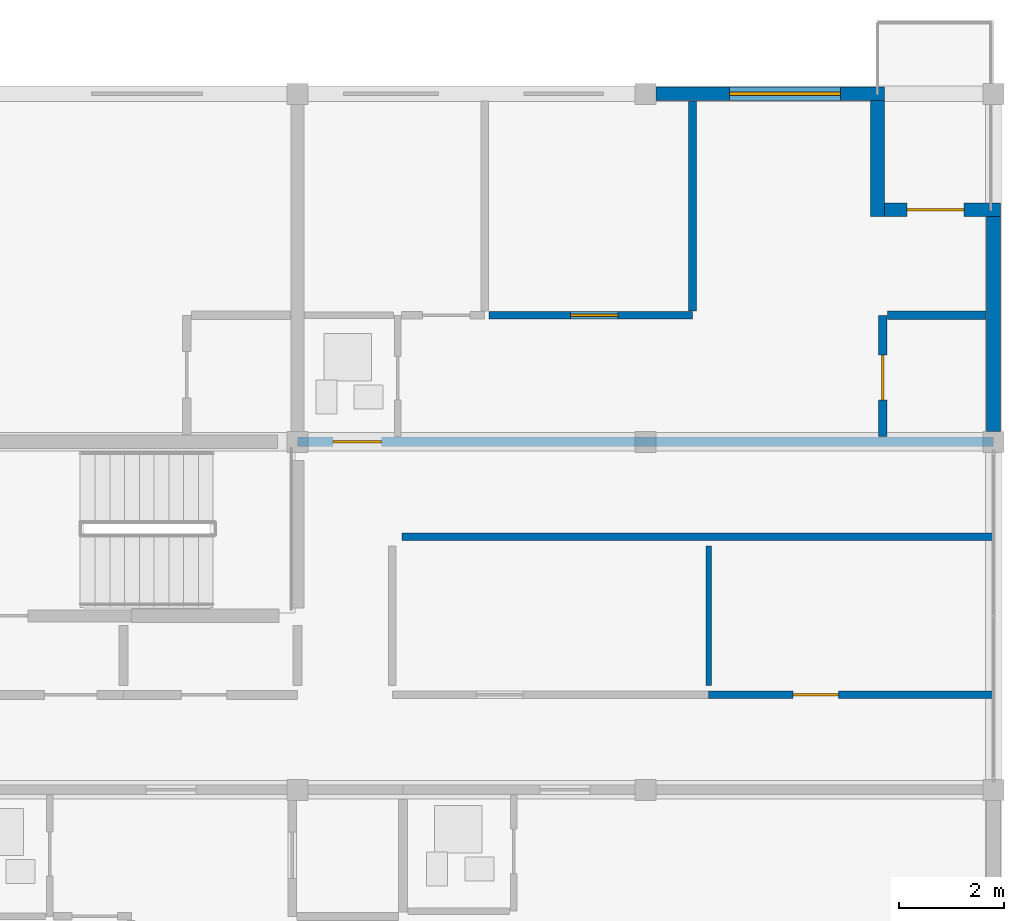
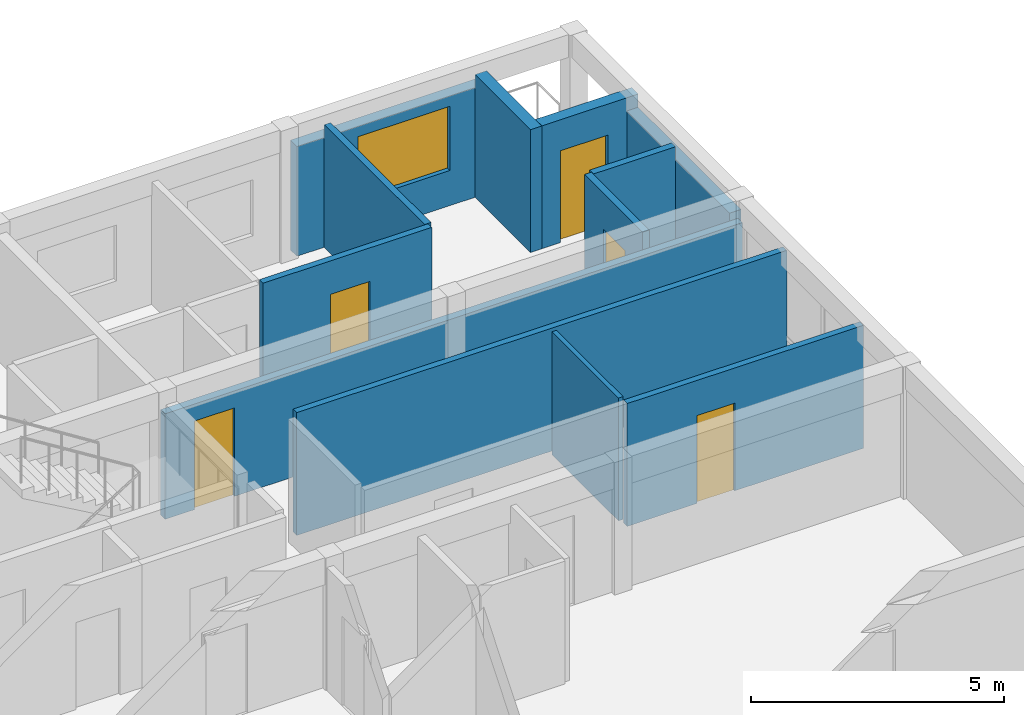
# One storey, part 27 of 37: 12 walls, 5 doors, 1 window, 6 openings.
"""IFC4 building model written with IfcOpenShell, lengths in metres."""

from ifc_helpers import new_model, si_unit, direction, frame, frame_2d, origin, place, context, subcontext, project, spatial, rectangle, extrude, material, layer, layer_set, type_object, element, fill, save


model = new_model("IFC4")

# Units and contexts
model_context = context("Model", 3, precision=1e-05, world=origin(), true_north=direction((0.0, 1.0)))
body_context = subcontext(model_context, "Body", "Model", "MODEL_VIEW")
ifc_project = project(units=[si_unit("LENGTHUNIT", "METRE"), si_unit("AREAUNIT", "SQUARE_METRE"), si_unit("VOLUMEUNIT", "CUBIC_METRE"), si_unit("PLANEANGLEUNIT", "RADIAN"), si_unit("MASSUNIT", "GRAM", prefix="KILO")], contexts=[model_context])

# Site, building, storey
site_placement = place(None, origin())
site = spatial("IfcSite", under=ifc_project, at=site_placement, CompositionType="ELEMENT")
building_placement = place(site_placement, origin())
building = spatial("IfcBuilding", under=site, at=building_placement, Name="Kernevlak Ridge Housing Community", CompositionType="ELEMENT")
storey_placement = place(building_placement, frame((0.0, 0.0, 37.199951171875)))
storey = spatial("IfcBuildingStorey", under=building, at=storey_placement, Name="L11", CompositionType="ELEMENT", Elevation=37.199951171875)

# Wall, opening, window
ifc_material_1 = material(Name="Concrete block masonry M10", Category="masonry")
ifc_layer_1 = layer(ifc_material_1, 0.260009765625, Name="Concrete block masonry M10")
ifc_layer_set_1 = layer_set([ifc_layer_1], Name="Concrete block masonry M10")
wall_type_1 = type_object("IfcWallType", Name="EW-05", PredefinedType="STANDARD", material=ifc_layer_set_1)
wall_1_placement = place(storey_placement, frame((146.0, 102.39990234375, 0.0), z_axis=(0.0, 0.0, 1.0), x_axis=(1.0, 0.0, 0.0)))
wall_1 = element("IfcWall", 1, at=wall_1_placement, inside=storey, type_object=wall_type_1, Name="Exterior wall EW-05 L11 476", PredefinedType="STANDARD", context=body_context, shape_type="SweptSolid", body=[
    extrude(rectangle(XDim=4.330078125, YDim=0.260009765625, at=frame_2d((2.1650390625, 0.0))), origin(), (0.0, 0.0, 1.0), 2.650146484375),
])
opening_1_placement = place(wall_1_placement, frame((1.39599609375, 0.0, 0.85009765625)))
opening_1 = element("IfcOpeningElement", 2, at=opening_1_placement, cuts=wall_1, Name="Opening WT-05", PredefinedType="OPENING", context=body_context, shape_type="SweptSolid", body=[
    extrude(rectangle(XDim=2.10009765625, YDim=1.550048828125, at=frame_2d((1.050048828125, 0.77490234375))), frame((0.0, 0.139892578125, 0.0), z_axis=(0.0, -1.0, 0.0), x_axis=(1.0, 0.0, 0.0)), (0.0, 0.0, 1.0), 0.280029296875),
])
ifc_material_2 = material(Name="Aluminium EN AW-6060 anodised and laminated glass", Category="aluminium")
window_type = type_object("IfcWindowType", Name="WT-05", PartitioningType="SINGLE_PANEL", PredefinedType="WINDOW", material=ifc_material_2)
window_placement = place(opening_1_placement, origin())
window = element("IfcWindow", 3, at=window_placement, inside=storey, type_object=window_type, Name="Window WT-05 L11 373", OverallHeight=1.550048828125, OverallWidth=2.10009765625, PartitioningType="SINGLE_PANEL", PredefinedType="WINDOW", context=body_context, shape_type="SweptSolid", body=[
    extrude(rectangle(XDim=2.10009765625, YDim=1.550048828125, at=frame_2d((1.050048828125, 0.77490234375))), frame((0.0, 0.030029296875, 0.0), z_axis=(0.0, -1.0, 0.0), x_axis=(1.0, 0.0, 0.0)), (0.0, 0.0, 1.0), 0.06005859375),
])
fill(opening_1, window)

# Wall
wall_2_placement = place(storey_placement, frame((150.199951171875, 102.27001953125, 0.0), z_axis=(0.0, 0.0, 1.0), x_axis=(0.0, -1.0, 0.0)))
element("IfcWall", 4, at=wall_2_placement, inside=storey, type_object=wall_type_1, Name="Exterior wall EW-05 L11 477", PredefinedType="STANDARD", context=body_context, shape_type="SweptSolid", body=[
    extrude(rectangle(XDim=2.199951171875, YDim=0.260009765625, at=frame_2d((1.10009765625, 0.0))), origin(), (0.0, 0.0, 1.0), 2.969970703125),
])

# Wall, opening, door
wall_3_placement = place(storey_placement, frame((150.330078125, 100.199951171875, 0.0), z_axis=(0.0, 0.0, 1.0), x_axis=(1.0, 0.0, 0.0)))
wall_3 = element("IfcWall", 5, at=wall_3_placement, inside=storey, type_object=wall_type_1, Name="Exterior wall EW-05 L11 478", PredefinedType="STANDARD", context=body_context, shape_type="SweptSolid", body=[
    extrude(rectangle(XDim=2.199951171875, YDim=0.260009765625, at=frame_2d((1.10009765625, 0.0))), origin(), (0.0, 0.0, 1.0), 2.969970703125),
])
opening_2_placement = place(wall_3_placement, frame((0.429931640625, 0.0, 0.0)))
opening_2 = element("IfcOpeningElement", 6, at=opening_2_placement, cuts=wall_3, Name="Opening D958", PredefinedType="OPENING", context=body_context, shape_type="SweptSolid", body=[
    extrude(rectangle(XDim=1.080078125, YDim=2.219970703125, at=frame_2d((0.5400390625, 1.10986328125))), frame((0.0, 0.139892578125, 0.0), z_axis=(0.0, -1.0, 0.0), x_axis=(1.0, 0.0, 0.0)), (0.0, 0.0, 1.0), 0.280029296875),
])
ifc_material_3 = material(Name="Aluminium EN AW-6060 and laminated safety glass", Category="aluminium")
door_type_1 = type_object("IfcDoorType", Name="DT-34", OperationType="NOTDEFINED", PredefinedType="DOOR", material=ifc_material_3)
door_1_placement = place(opening_2_placement, origin())
door_1 = element("IfcDoor", 7, at=door_1_placement, inside=storey, type_object=door_type_1, Name="Flat B1123 corner balcony glazed door D958", OperationType="SINGLE_SWING_RIGHT", OverallHeight=2.219970703125, OverallWidth=1.080078125, PredefinedType="DOOR", context=body_context, shape_type="SweptSolid", body=[
    extrude(rectangle(XDim=1.080078125, YDim=2.219970703125, at=frame_2d((0.5400390625, 1.10986328125))), frame((0.0, 0.02490234375, 0.0), z_axis=(0.0, -1.0, 0.0), x_axis=(1.0, 0.0, 0.0)), (0.0, 0.0, 1.0), 0.050048828125),
])
fill(opening_2, door_1)

# Wall
wall_4_placement = place(storey_placement, frame((152.39990234375, 96.0, 0.0), z_axis=(0.0, 0.0, 1.0), x_axis=(0.0, 1.0, 0.0)))
element("IfcWall", 8, at=wall_4_placement, inside=storey, type_object=wall_type_1, Name="Exterior wall EW-05 L11 482", PredefinedType="STANDARD", context=body_context, shape_type="SweptSolid", body=[
    extrude(rectangle(XDim=4.070068359375, YDim=0.260009765625, at=frame_2d((2.03515625, 0.0))), origin(), (0.0, 0.0, 1.0), 2.650146484375),
])

# Wall, opening, door
ifc_layer_2 = layer(ifc_material_1, 0.175048828125, Name="Concrete block masonry M10")
ifc_layer_set_2 = layer_set([ifc_layer_2], Name="Concrete block masonry M10")
wall_type_2 = type_object("IfcWallType", Name="PW-02", PredefinedType="PARTITIONING", material=ifc_layer_set_2)
wall_5_placement = place(storey_placement, frame((139.199951171875, 95.800048828125, 0.0), z_axis=(0.0, 0.0, 1.0), x_axis=(1.0, 0.0, 0.0)))
wall_5 = element("IfcWall", 9, at=wall_5_placement, inside=storey, type_object=wall_type_2, Name="Interior wall PW-02 WAL-INT-L11-1882", PredefinedType="PARTITIONING", context=body_context, shape_type="SweptSolid", body=[
    extrude(rectangle(XDim=13.199951171875, YDim=0.175048828125, at=frame_2d((6.60009765625, 0.0))), origin(), (0.0, 0.0, 1.0), 2.550048828125),
])
opening_3_placement = place(wall_5_placement, frame((0.669921875, 0.0, 0.0)))
opening_3 = element("IfcOpeningElement", 10, at=opening_3_placement, cuts=wall_5, Name="Opening D953", PredefinedType="OPENING", context=body_context, shape_type="SweptSolid", body=[
    extrude(rectangle(XDim=0.919921875, YDim=2.139892578125, at=frame_2d((0.4599609375, 1.06982421875))), frame((0.0, 0.097412109375, 0.0), z_axis=(0.0, -1.0, 0.0), x_axis=(1.0, 0.0, 0.0)), (0.0, 0.0, 1.0), 0.195068359375),
])
ifc_material_4 = material(Name="Hardwood timber solid-core fire leaf", Category="wood")
door_type_2 = type_object("IfcDoorType", Name="DT-20", OperationType="NOTDEFINED", PredefinedType="DOOR", material=ifc_material_4)
door_2_placement = place(opening_3_placement, origin())
door_2 = element("IfcDoor", 11, at=door_2_placement, inside=storey, type_object=door_type_2, Name="Flat B1123 entrance fire door D953", OperationType="SINGLE_SWING_LEFT", OverallHeight=2.139892578125, OverallWidth=0.919921875, PredefinedType="DOOR", context=body_context, shape_type="SweptSolid", body=[
    extrude(rectangle(XDim=0.919921875, YDim=2.139892578125, at=frame_2d((0.4599609375, 1.06982421875))), frame((0.0, 0.02490234375, 0.0), z_axis=(0.0, -1.0, 0.0), x_axis=(1.0, 0.0, 0.0)), (0.0, 0.0, 1.0), 0.050048828125),
])
fill(opening_3, door_2)

ifc_layer_3 = layer(ifc_material_1, 0.14501953125, Name="Concrete block masonry M10")
ifc_layer_set_3 = layer_set([ifc_layer_3], Name="Concrete block masonry M10")
wall_type_3 = type_object("IfcWallType", Name="PW-03", PredefinedType="PARTITIONING", material=ifc_layer_set_3)
wall_6_placement = place(storey_placement, frame((147.0, 91.0, 0.0), z_axis=(0.0, 0.0, 1.0), x_axis=(1.0, 0.0, 0.0)))
wall_6 = element("IfcWall", 12, at=wall_6_placement, inside=storey, type_object=wall_type_3, Name="Interior wall PW-03 WAL-INT-L11-1845", PredefinedType="PARTITIONING", context=body_context, shape_type="SweptSolid", body=[
    extrude(rectangle(XDim=5.39990234375, YDim=0.14501953125, at=frame_2d((2.699951171875, 0.0))), origin(), (0.0, 0.0, 1.0), 2.969970703125),
])
opening_4_placement = place(wall_6_placement, frame((1.60009765625, 0.0, 0.0)))
opening_4 = element("IfcOpeningElement", 13, at=opening_4_placement, cuts=wall_6, Name="Opening D934", PredefinedType="OPENING", context=body_context, shape_type="SweptSolid", body=[
    extrude(rectangle(XDim=0.860107421875, YDim=2.1201171875, at=frame_2d((0.43017578125, 1.06005859375))), frame((0.0, 0.08251953125, 0.0), z_axis=(0.0, -1.0, 0.0), x_axis=(1.0, 0.0, 0.0)), (0.0, 0.0, 1.0), 0.1650390625),
])
ifc_material_5 = material(Name="Hardwood timber leaf", Category="wood")
door_type_3 = type_object("IfcDoorType", Name="DT-28", OperationType="NOTDEFINED", PredefinedType="DOOR", material=ifc_material_5)
door_3_placement = place(opening_4_placement, origin())
door_3 = element("IfcDoor", 14, at=door_3_placement, inside=storey, type_object=door_type_3, Name="Block B Study room door D934", OperationType="SINGLE_SWING_RIGHT", OverallHeight=2.1201171875, OverallWidth=0.860107421875, PredefinedType="DOOR", context=body_context, shape_type="SweptSolid", body=[
    extrude(rectangle(XDim=0.860107421875, YDim=2.1201171875, at=frame_2d((0.43017578125, 1.06005859375))), frame((0.0, 0.02490234375, 0.0), z_axis=(0.0, -1.0, 0.0), x_axis=(1.0, 0.0, 0.0)), (0.0, 0.0, 1.0), 0.050048828125),
])
fill(opening_4, door_3)

# Wall
wall_7_placement = place(storey_placement, frame((141.179931640625, 94.0, 0.0), z_axis=(0.0, 0.0, 1.0), x_axis=(1.0, 0.0, 0.0)))
element("IfcWall", 15, at=wall_7_placement, inside=storey, type_object=wall_type_3, Name="Interior wall PW-03 WAL-INT-L11-1847", PredefinedType="PARTITIONING", context=body_context, shape_type="SweptSolid", body=[
    extrude(rectangle(XDim=11.199951171875, YDim=0.14501953125, at=frame_2d((5.60009765625, 0.0))), origin(), (0.0, 0.0, 1.0), 2.969970703125),
])

# Wall, opening, door
wall_8_placement = place(storey_placement, frame((142.83251953125, 98.199951171875, 0.0), z_axis=(0.0, 0.0, 1.0), x_axis=(1.0, 0.0, 0.0)))
wall_8 = element("IfcWall", 16, at=wall_8_placement, inside=storey, type_object=wall_type_3, Name="Interior wall PW-03 WAL-INT-L11-1889", PredefinedType="PARTITIONING", context=body_context, shape_type="SweptSolid", body=[
    extrude(rectangle(XDim=3.859375, YDim=0.14501953125, at=frame_2d((1.9296875, 0.0))), origin(), (0.0, 0.0, 1.0), 2.969970703125),
])
opening_5_placement = place(wall_8_placement, frame((1.5458984375, 0.0, 0.0)))
opening_5 = element("IfcOpeningElement", 17, at=opening_5_placement, cuts=wall_8, Name="Opening D957", PredefinedType="OPENING", context=body_context, shape_type="SweptSolid", body=[
    extrude(rectangle(XDim=0.89990234375, YDim=2.159912109375, at=frame_2d((0.449951171875, 1.080078125))), frame((0.0, 0.08251953125, 0.0), z_axis=(0.0, -1.0, 0.0), x_axis=(1.0, 0.0, 0.0)), (0.0, 0.0, 1.0), 0.1650390625),
])
door_type_4 = type_object("IfcDoorType", Name="DT-22", OperationType="NOTDEFINED", PredefinedType="DOOR", material=ifc_material_5)
door_4_placement = place(opening_5_placement, origin())
door_4 = element("IfcDoor", 18, at=door_4_placement, inside=storey, type_object=door_type_4, Name="Flat B1123 bedroom door D957", OperationType="SINGLE_SWING_LEFT", OverallHeight=2.159912109375, OverallWidth=0.89990234375, PredefinedType="DOOR", context=body_context, shape_type="SweptSolid", body=[
    extrude(rectangle(XDim=0.89990234375, YDim=2.159912109375, at=frame_2d((0.449951171875, 1.080078125))), frame((0.0, 0.02490234375, 0.0), z_axis=(0.0, -1.0, 0.0), x_axis=(1.0, 0.0, 0.0)), (0.0, 0.0, 1.0), 0.050048828125),
])
fill(opening_5, door_4)

# Wall
wall_9_placement = place(storey_placement, frame((146.69189453125, 98.282470703125, 0.0), z_axis=(0.0, 0.0, 1.0), x_axis=(0.0, 1.0, 0.0)))
element("IfcWall", 19, at=wall_9_placement, inside=storey, type_object=wall_type_3, Name="Interior wall PW-03 WAL-INT-L11-1890", PredefinedType="PARTITIONING", context=body_context, shape_type="SweptSolid", body=[
    extrude(rectangle(XDim=3.9775390625, YDim=0.14501953125, at=frame_2d((1.98876953125, 0.0))), origin(), (0.0, 0.0, 1.0), 2.969970703125),
])

# Wall, opening, door
ifc_material_6 = material(Name="Gypsum plasterboard EN 520", Category="gypsum")
ifc_layer_4 = layer(ifc_material_6, 0.155029296875, Name="Gypsum plasterboard EN 520")
ifc_layer_set_4 = layer_set([ifc_layer_4], Name="Gypsum plasterboard EN 520")
wall_type_4 = type_object("IfcWallType", Name="PW-05", PredefinedType="PARTITIONING", material=ifc_layer_set_4)
wall_10_placement = place(storey_placement, frame((150.300048828125, 95.8974609375, 0.0), z_axis=(0.0, 0.0, 1.0), x_axis=(0.0, 1.0, 0.0)))
wall_10 = element("IfcWall", 20, at=wall_10_placement, inside=storey, type_object=wall_type_4, Name="Interior wall PW-05 WAL-INT-L11-1885", PredefinedType="PARTITIONING", context=body_context, shape_type="SweptSolid", body=[
    extrude(rectangle(XDim=2.302490234375, YDim=0.155029296875, at=frame_2d((1.1513671875, 0.0))), origin(), (0.0, 0.0, 1.0), 2.969970703125),
])
opening_6_placement = place(wall_10_placement, frame((0.699951171875, 0.0, 0.0)))
opening_6 = element("IfcOpeningElement", 21, at=opening_6_placement, cuts=wall_10, Name="Opening D955", PredefinedType="OPENING", context=body_context, shape_type="SweptSolid", body=[
    extrude(rectangle(XDim=0.85009765625, YDim=2.10009765625, at=frame_2d((0.425048828125, 1.050048828125))), frame((0.0, 0.08740234375, 0.0), z_axis=(0.0, -1.0, 0.0), x_axis=(1.0, 0.0, 0.0)), (0.0, 0.0, 1.0), 0.175048828125),
])
door_type_5 = type_object("IfcDoorType", Name="DT-03", OperationType="NOTDEFINED", PredefinedType="DOOR", material=ifc_material_5)
door_5_placement = place(opening_6_placement, origin())
door_5 = element("IfcDoor", 22, at=door_5_placement, inside=storey, type_object=door_type_5, Name="Flat B1123 kitchen door D955", OperationType="SINGLE_SWING_LEFT", OverallHeight=2.10009765625, OverallWidth=0.85009765625, PredefinedType="DOOR", context=body_context, shape_type="SweptSolid", body=[
    extrude(rectangle(XDim=0.85009765625, YDim=2.10009765625, at=frame_2d((0.425048828125, 1.050048828125))), frame((0.0, 0.02490234375, 0.0), z_axis=(0.0, -1.0, 0.0), x_axis=(1.0, 0.0, 0.0)), (0.0, 0.0, 1.0), 0.050048828125),
])
fill(opening_6, door_5)

# Walls
wall_11_placement = place(storey_placement, frame((150.387451171875, 98.199951171875, 0.0), z_axis=(0.0, 0.0, 1.0), x_axis=(1.0, 0.0, 0.0)))
element("IfcWall", 23, at=wall_11_placement, inside=storey, type_object=wall_type_4, Name="Interior wall PW-05 WAL-INT-L11-1886", PredefinedType="PARTITIONING", context=body_context, shape_type="SweptSolid", body=[
    extrude(rectangle(XDim=1.87255859375, YDim=0.155029296875, at=frame_2d((0.936279296875, 0.0))), origin(), (0.0, 0.0, 1.0), 2.969970703125),
])
ifc_layer_5 = layer(ifc_material_6, 0.10498046875, Name="Gypsum plasterboard EN 520")
ifc_layer_set_5 = layer_set([ifc_layer_5], Name="Gypsum plasterboard EN 520")
wall_type_5 = type_object("IfcWallType", Name="PW-06", PredefinedType="PARTITIONING", material=ifc_layer_set_5)
wall_12_placement = place(storey_placement, frame((147.0, 91.179931640625, 0.0), z_axis=(0.0, 0.0, 1.0), x_axis=(0.0, 1.0, 0.0)))
element("IfcWall", 24, at=wall_12_placement, inside=storey, type_object=wall_type_5, Name="Interior wall PW-06 WAL-INT-L11-1846", PredefinedType="PARTITIONING", context=body_context, shape_type="SweptSolid", body=[
    extrude(rectangle(XDim=2.64013671875, YDim=0.10498046875, at=frame_2d((1.320068359375, 0.0))), origin(), (0.0, 0.0, 1.0), 2.969970703125),
])

save(model, "model.ifc")
